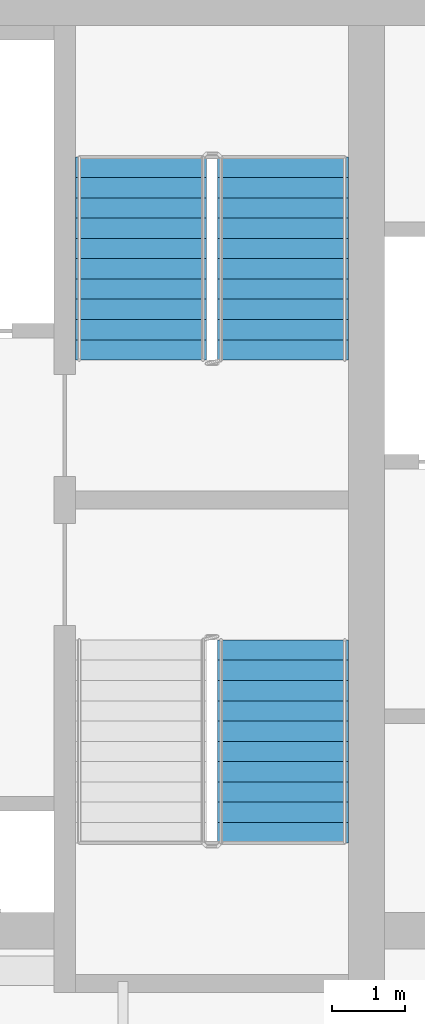
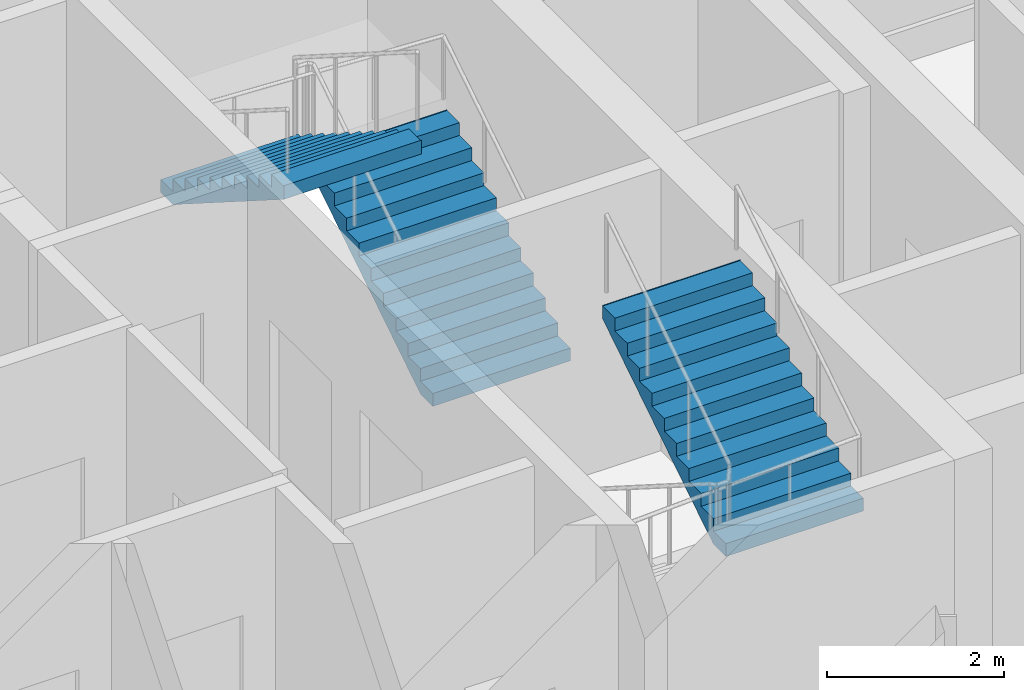
# One storey, part 9 of 10: 3 stair flights, 2 elements without a shape of their own.
"""IFC4 building model written with IfcOpenShell, lengths in metres."""

from ifc_helpers import new_model, si_unit, direction, frame, origin, place, context, subcontext, project, spatial, faceted_brep, source, transform, mapped, material, type_object, element, aggregate, save


model = new_model("IFC4")

# Units and contexts
model_context = context("Model", 3, precision=1e-05, world=origin(), true_north=direction((0.0, 1.0)))
body_context = subcontext(model_context, "Body", "Model", "MODEL_VIEW")
ifc_project = project(units=[si_unit("LENGTHUNIT", "METRE"), si_unit("AREAUNIT", "SQUARE_METRE"), si_unit("VOLUMEUNIT", "CUBIC_METRE"), si_unit("PLANEANGLEUNIT", "RADIAN"), si_unit("MASSUNIT", "GRAM", prefix="KILO")], contexts=[model_context])

# Site, building, storey
site_placement = place(None, origin())
site = spatial("IfcSite", under=ifc_project, at=site_placement, CompositionType="ELEMENT")
building_placement = place(site_placement, origin())
building = spatial("IfcBuilding", under=site, at=building_placement, Name="Calabash Gate Tower", CompositionType="ELEMENT")
storey_placement = place(building_placement, frame((0.0, 0.0, 148.5)))
storey = spatial("IfcBuildingStorey", under=building, at=storey_placement, Name="L34", CompositionType="ELEMENT", Elevation=148.5)

# Stair, stair flights
ifc_material_1 = material(Name="Concrete C40/50", Category="concrete")
stair_type = type_object("IfcStairType", Name="Exit stair 22 risers of 177.3 mm", PredefinedType="HALF_TURN_STAIR", material=ifc_material_1)
stair_1_placement = place(storey_placement, origin())
stair_1 = element("IfcStair", 1, at=stair_1_placement, inside=storey, type_object=stair_type, Name="L34 Exit stair ST3", PredefinedType="HALF_TURN_STAIR")
ifc_material_2 = material(Name="Concrete C40/50", Category="concrete")
stair_flight_type = type_object("IfcStairFlightType", Name="Exit stair flight SFL", PredefinedType="STRAIGHT", material=ifc_material_2)
shared_shape = source(origin(), body_context, "Body", "Brep", [
    faceted_brep([(-0.0009765625, -0.89990234375, 0.0), (0.279541015625, -0.89990234375, 0.0), (2.791015625, -0.89990234375, 1.59521484375), (-0.0009765625, 0.89990234375, 0.0), (2.791015625, 0.89990234375, 1.59521484375), (0.279541015625, 0.89990234375, 0.0), (2.791015625, -0.89990234375, 1.78466796875), (2.7900390625, -0.89990234375, 1.78466796875), (2.7900390625, 0.89990234375, 1.78466796875), (2.791015625, 0.89990234375, 1.78466796875), (2.7900390625, -0.89990234375, 1.772705078125), (2.7900390625, 0.89990234375, 1.772705078125), (2.510986328125, -0.89990234375, 1.772705078125), (2.510986328125, 0.89990234375, 1.772705078125), (2.510986328125, -0.89990234375, 1.595458984375), (2.510986328125, 0.89990234375, 1.595458984375), (2.23193359375, -0.89990234375, 1.595458984375), (2.23193359375, 0.89990234375, 1.595458984375), (2.23193359375, -0.89990234375, 1.418212890625), (2.23193359375, 0.89990234375, 1.418212890625), (1.952880859375, -0.89990234375, 1.418212890625), (1.952880859375, -0.89990234375, 1.240966796875), (1.952880859375, 0.89990234375, 1.240966796875), (1.952880859375, 0.89990234375, 1.418212890625), (1.674072265625, -0.89990234375, 1.240966796875), (1.674072265625, -0.89990234375, 1.063720703125), (1.674072265625, 0.89990234375, 1.063720703125), (1.674072265625, 0.89990234375, 1.240966796875), (1.39501953125, -0.89990234375, 1.063720703125), (1.39501953125, -0.89990234375, 0.886474609375), (1.39501953125, 0.89990234375, 0.886474609375), (1.39501953125, 0.89990234375, 1.063720703125), (1.115966796875, -0.89990234375, 0.886474609375), (1.115966796875, -0.89990234375, 0.708984375), (1.115966796875, 0.89990234375, 0.708984375), (1.115966796875, 0.89990234375, 0.886474609375), (0.8369140625, -0.89990234375, 0.708984375), (0.8369140625, -0.89990234375, 0.53173828125), (0.8369140625, 0.89990234375, 0.53173828125), (0.8369140625, 0.89990234375, 0.708984375), (0.55810546875, -0.89990234375, 0.53173828125), (0.55810546875, -0.89990234375, 0.3544921875), (0.55810546875, 0.89990234375, 0.3544921875), (0.55810546875, 0.89990234375, 0.53173828125), (0.279052734375, -0.89990234375, 0.3544921875), (0.279052734375, -0.89990234375, 0.17724609375), (0.279052734375, 0.89990234375, 0.17724609375), (0.279052734375, 0.89990234375, 0.3544921875), (-0.0009765625, -0.89990234375, 0.17724609375), (-0.0009765625, 0.89990234375, 0.17724609375), (0.279541015625, -0.360107421875, 0.0), (2.791015625, -0.360107421875, 1.59521484375), (0.279541015625, 0.0, 0.0), (2.791015625, 0.0, 1.59521484375), (0.279541015625, 0.360107421875, 0.0), (2.791015625, 0.360107421875, 1.59521484375), (2.791015625, -0.360107421875, 1.78466796875), (2.791015625, 0.0, 1.78466796875), (2.791015625, 0.360107421875, 1.78466796875), (2.7900390625, -0.360107421875, 1.78466796875), (2.7900390625, 0.0, 1.78466796875), (2.7900390625, 0.360107421875, 1.78466796875), (2.7900390625, -0.360107421875, 1.772705078125), (2.7900390625, 0.0, 1.772705078125), (2.7900390625, 0.360107421875, 1.772705078125), (2.510986328125, -0.360107421875, 1.772705078125), (2.510986328125, 0.0, 1.772705078125), (2.510986328125, 0.360107421875, 1.772705078125), (2.510986328125, -0.360107421875, 1.595458984375), (2.510986328125, 0.0, 1.595458984375), (2.510986328125, 0.360107421875, 1.595458984375), (2.23193359375, -0.360107421875, 1.595458984375), (2.23193359375, 0.0, 1.595458984375), (2.23193359375, 0.360107421875, 1.595458984375), (2.23193359375, -0.360107421875, 1.418212890625), (2.23193359375, 0.0, 1.418212890625), (2.23193359375, 0.360107421875, 1.418212890625), (1.952880859375, -0.360107421875, 1.418212890625), (1.952880859375, 0.0, 1.418212890625), (1.952880859375, 0.360107421875, 1.418212890625), (1.952880859375, -0.360107421875, 1.240966796875), (1.952880859375, 0.0, 1.240966796875), (1.952880859375, 0.360107421875, 1.240966796875), (1.674072265625, -0.360107421875, 1.240966796875), (1.674072265625, 0.0, 1.240966796875), (1.674072265625, 0.360107421875, 1.240966796875), (1.674072265625, -0.360107421875, 1.063720703125), (1.674072265625, 0.0, 1.063720703125), (1.674072265625, 0.360107421875, 1.063720703125), (1.39501953125, -0.360107421875, 1.063720703125), (1.39501953125, 0.0, 1.063720703125), (1.39501953125, 0.360107421875, 1.063720703125), (1.39501953125, -0.360107421875, 0.886474609375), (1.39501953125, 0.0, 0.886474609375), (1.39501953125, 0.360107421875, 0.886474609375), (1.115966796875, -0.360107421875, 0.886474609375), (1.115966796875, 0.0, 0.886474609375), (1.115966796875, 0.360107421875, 0.886474609375), (1.115966796875, -0.360107421875, 0.708984375), (1.115966796875, 0.0, 0.708984375), (1.115966796875, 0.360107421875, 0.708984375), (0.8369140625, -0.360107421875, 0.708984375), (0.8369140625, 0.0, 0.708984375), (0.8369140625, 0.360107421875, 0.708984375), (0.8369140625, -0.360107421875, 0.53173828125), (0.8369140625, 0.0, 0.53173828125), (0.8369140625, 0.360107421875, 0.53173828125), (0.55810546875, -0.360107421875, 0.53173828125), (0.55810546875, 0.0, 0.53173828125), (0.55810546875, 0.360107421875, 0.53173828125), (0.55810546875, -0.360107421875, 0.3544921875), (0.55810546875, 0.0, 0.3544921875), (0.55810546875, 0.360107421875, 0.3544921875), (0.279052734375, -0.360107421875, 0.3544921875), (0.279052734375, 0.0, 0.3544921875), (0.279052734375, 0.360107421875, 0.3544921875), (0.279052734375, -0.360107421875, 0.17724609375), (0.279052734375, 0.0, 0.17724609375), (0.279052734375, 0.360107421875, 0.17724609375), (-0.0009765625, -0.360107421875, 0.17724609375), (-0.0009765625, 0.0, 0.17724609375), (-0.0009765625, 0.360107421875, 0.17724609375), (-0.0009765625, -0.360107421875, 0.0), (-0.0009765625, 0.0, 0.0), (-0.0009765625, 0.360107421875, 0.0)], [[[0, 1, 2]], [[3, 4, 5]], [[2, 6, 7]], [[4, 8, 9]], [[2, 7, 10]], [[4, 11, 8]], [[2, 10, 12]], [[4, 13, 11]], [[2, 12, 14]], [[4, 15, 13]], [[2, 14, 16]], [[4, 17, 15]], [[2, 16, 18]], [[4, 19, 17]], [[18, 20, 21]], [[19, 22, 23]], [[2, 18, 21]], [[4, 22, 19]], [[21, 24, 25]], [[22, 26, 27]], [[2, 21, 25]], [[4, 26, 22]], [[25, 28, 29]], [[26, 30, 31]], [[2, 25, 29]], [[4, 30, 26]], [[29, 32, 33]], [[30, 34, 35]], [[2, 29, 33]], [[4, 34, 30]], [[33, 36, 37]], [[34, 38, 39]], [[2, 33, 37]], [[4, 38, 34]], [[37, 40, 41]], [[38, 42, 43]], [[2, 37, 41]], [[4, 42, 38]], [[41, 44, 45]], [[42, 46, 47]], [[2, 41, 45]], [[4, 46, 42]], [[0, 2, 45]], [[3, 46, 4]], [[45, 48, 0]], [[46, 3, 49]], [[1, 50, 2]], [[50, 51, 2]], [[50, 52, 51]], [[52, 53, 51]], [[52, 54, 55]], [[52, 55, 53]], [[54, 5, 4]], [[54, 4, 55]], [[2, 51, 6]], [[51, 56, 6]], [[51, 53, 56]], [[53, 57, 56]], [[53, 55, 58]], [[53, 58, 57]], [[55, 4, 9]], [[55, 9, 58]], [[6, 56, 7]], [[56, 59, 7]], [[56, 57, 59]], [[57, 60, 59]], [[57, 58, 61]], [[57, 61, 60]], [[58, 9, 8]], [[58, 8, 61]], [[7, 59, 10]], [[59, 62, 10]], [[59, 60, 62]], [[60, 63, 62]], [[60, 61, 64]], [[60, 64, 63]], [[61, 8, 11]], [[61, 11, 64]], [[10, 62, 12]], [[62, 65, 12]], [[62, 63, 65]], [[63, 66, 65]], [[63, 64, 67]], [[63, 67, 66]], [[64, 11, 13]], [[64, 13, 67]], [[12, 65, 14]], [[65, 68, 14]], [[65, 66, 68]], [[66, 69, 68]], [[66, 67, 70]], [[66, 70, 69]], [[67, 13, 15]], [[67, 15, 70]], [[14, 68, 16]], [[68, 71, 16]], [[68, 69, 71]], [[69, 72, 71]], [[69, 70, 73]], [[69, 73, 72]], [[70, 15, 17]], [[70, 17, 73]], [[16, 71, 18]], [[71, 74, 18]], [[71, 72, 74]], [[72, 75, 74]], [[72, 73, 76]], [[72, 76, 75]], [[73, 17, 19]], [[73, 19, 76]], [[18, 74, 20]], [[74, 77, 20]], [[74, 75, 77]], [[75, 78, 77]], [[75, 76, 79]], [[75, 79, 78]], [[76, 19, 23]], [[76, 23, 79]], [[20, 77, 21]], [[77, 80, 21]], [[77, 78, 80]], [[78, 81, 80]], [[78, 79, 82]], [[78, 82, 81]], [[79, 23, 22]], [[79, 22, 82]], [[21, 80, 24]], [[80, 83, 24]], [[80, 81, 83]], [[81, 84, 83]], [[81, 82, 85]], [[81, 85, 84]], [[82, 22, 27]], [[82, 27, 85]], [[24, 83, 25]], [[83, 86, 25]], [[83, 84, 86]], [[84, 87, 86]], [[84, 85, 88]], [[84, 88, 87]], [[85, 27, 26]], [[85, 26, 88]], [[25, 86, 28]], [[86, 89, 28]], [[86, 87, 89]], [[87, 90, 89]], [[87, 88, 91]], [[87, 91, 90]], [[88, 26, 31]], [[88, 31, 91]], [[28, 89, 29]], [[89, 92, 29]], [[89, 90, 92]], [[90, 93, 92]], [[90, 91, 94]], [[90, 94, 93]], [[91, 31, 30]], [[91, 30, 94]], [[29, 92, 32]], [[92, 95, 32]], [[92, 93, 95]], [[93, 96, 95]], [[93, 94, 97]], [[93, 97, 96]], [[94, 30, 35]], [[94, 35, 97]], [[32, 95, 33]], [[95, 98, 33]], [[95, 96, 98]], [[96, 99, 98]], [[96, 97, 100]], [[96, 100, 99]], [[97, 35, 34]], [[97, 34, 100]], [[33, 98, 36]], [[98, 101, 36]], [[98, 99, 101]], [[99, 102, 101]], [[99, 100, 103]], [[99, 103, 102]], [[100, 34, 39]], [[100, 39, 103]], [[36, 101, 37]], [[101, 104, 37]], [[101, 102, 104]], [[102, 105, 104]], [[102, 103, 106]], [[102, 106, 105]], [[103, 39, 38]], [[103, 38, 106]], [[37, 104, 40]], [[104, 107, 40]], [[104, 105, 107]], [[105, 108, 107]], [[105, 106, 109]], [[105, 109, 108]], [[106, 38, 43]], [[106, 43, 109]], [[40, 107, 41]], [[107, 110, 41]], [[107, 108, 110]], [[108, 111, 110]], [[108, 109, 112]], [[108, 112, 111]], [[109, 43, 42]], [[109, 42, 112]], [[41, 110, 44]], [[110, 113, 44]], [[110, 111, 113]], [[111, 114, 113]], [[111, 112, 115]], [[111, 115, 114]], [[112, 42, 47]], [[112, 47, 115]], [[44, 113, 45]], [[113, 116, 45]], [[113, 114, 116]], [[114, 117, 116]], [[114, 115, 118]], [[114, 118, 117]], [[115, 47, 46]], [[115, 46, 118]], [[45, 116, 48]], [[116, 119, 48]], [[116, 117, 119]], [[117, 120, 119]], [[117, 118, 121]], [[117, 121, 120]], [[118, 46, 49]], [[118, 49, 121]], [[48, 119, 0]], [[119, 122, 0]], [[119, 120, 122]], [[120, 123, 122]], [[120, 121, 124]], [[120, 124, 123]], [[121, 49, 3]], [[121, 3, 124]], [[0, 122, 1]], [[122, 50, 1]], [[122, 123, 50]], [[123, 52, 50]], [[123, 124, 54]], [[123, 54, 52]], [[124, 3, 5]], [[124, 5, 54]]]),
])
stair_flight_1_placement = place(storey_placement, frame((11.199951171875, 13.95263671875, 0.0), z_axis=(0.0, 0.0, 1.0), x_axis=(0.0, 1.0, 0.0)))
stair_flight_1 = element("IfcStairFlight", 2, at=stair_flight_1_placement, type_object=stair_flight_type, Name="ST3 flight 1", NumberOfRisers=11, NumberOfTreads=10, PredefinedType="STRAIGHT", RiserHeight=0.177272727, TreadLength=0.279, context=body_context, shape_type="MappedRepresentation", body=[
    mapped(shared_shape, transform((0.0, 0.0, 0.0), scale=1.0)),
])
stair_flight_2_placement = place(storey_placement, frame((9.25, 16.74267578125, 1.949951171875), z_axis=(0.0, 0.0, 1.0), x_axis=(0.0, -1.0, 0.0)))
stair_flight_2 = element("IfcStairFlight", 3, at=stair_flight_2_placement, type_object=stair_flight_type, Name="ST3 flight 2", NumberOfRisers=11, NumberOfTreads=10, PredefinedType="STRAIGHT", RiserHeight=0.177272727, TreadLength=0.279, context=body_context, shape_type="MappedRepresentation", body=[
    mapped(shared_shape, transform((0.0, 0.0, 0.0), scale=1.0)),
])
aggregate(stair_1, [stair_flight_1, stair_flight_2])

# Stair, stair flight
stair_2_placement = place(storey_placement, origin())
stair_2 = element("IfcStair", 4, at=stair_2_placement, inside=storey, type_object=stair_type, Name="L34 Exit stair ST4", PredefinedType="HALF_TURN_STAIR")
stair_flight_3_placement = place(storey_placement, frame((11.199951171875, 7.3125, 1.949951171875), z_axis=(0.0, 0.0, 1.0), x_axis=(0.0, 1.0, 0.0)))
stair_flight_3 = element("IfcStairFlight", 5, at=stair_flight_3_placement, type_object=stair_flight_type, Name="ST4 flight 2", NumberOfRisers=11, NumberOfTreads=10, PredefinedType="STRAIGHT", RiserHeight=0.177272727, TreadLength=0.279, context=body_context, shape_type="MappedRepresentation", body=[
    mapped(shared_shape, transform((0.0, 0.0, 0.0), scale=1.0)),
])
aggregate(stair_2, [stair_flight_3])

save(model, "model.ifc")
